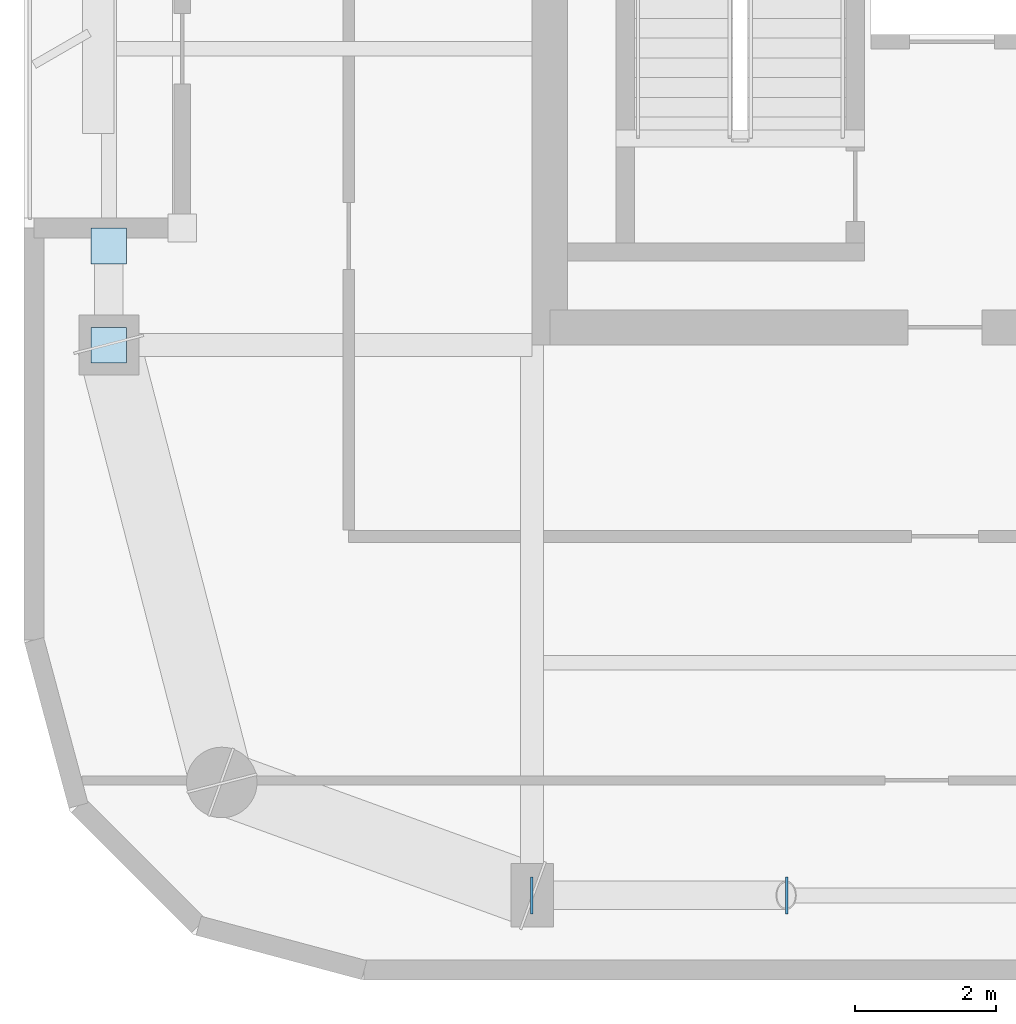
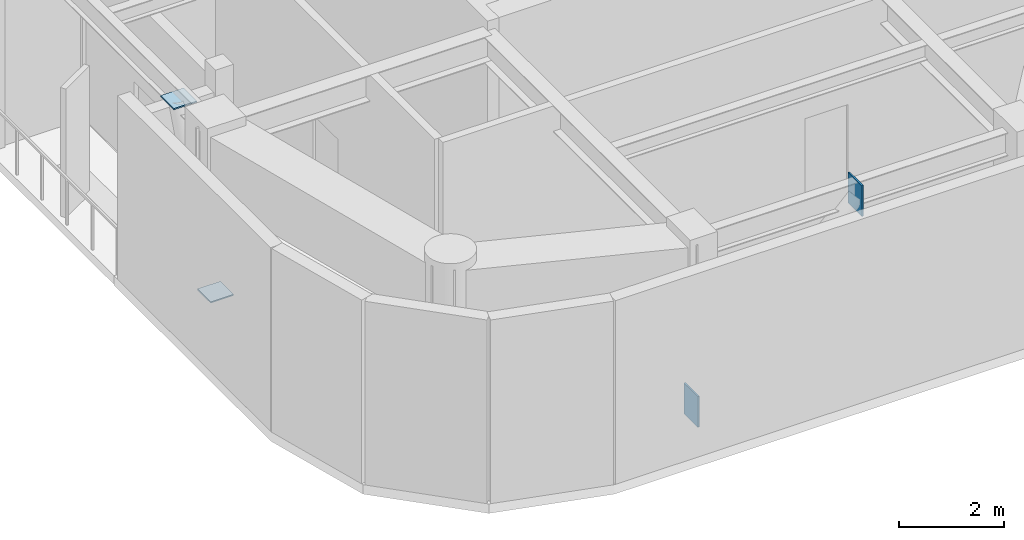
# One storey, part 8 of 15: 4 plates.
"""IFC4 building model written with IfcOpenShell, lengths in metres."""

from ifc_helpers import new_model, si_unit, direction, frame, origin, origin_2d, place, context, subcontext, project, spatial, rectangle, extrude, material, layer, layer_set, type_object, element, save


model = new_model("IFC4")

# Units and contexts
model_context = context("Model", 3, precision=1e-05, world=origin(), true_north=direction((0.0, 1.0)))
body_context = subcontext(model_context, "Body", "Model", "MODEL_VIEW")
ifc_project = project(units=[si_unit("LENGTHUNIT", "METRE"), si_unit("AREAUNIT", "SQUARE_METRE"), si_unit("VOLUMEUNIT", "CUBIC_METRE"), si_unit("PLANEANGLEUNIT", "RADIAN"), si_unit("MASSUNIT", "GRAM", prefix="KILO")], contexts=[model_context])

# Site, building, storey
site_placement = place(None, origin())
site = spatial("IfcSite", under=ifc_project, at=site_placement, CompositionType="ELEMENT")
building_placement = place(site_placement, origin())
building = spatial("IfcBuilding", under=site, at=building_placement, Name="Kiyonajd Concourse Tower", CompositionType="ELEMENT")
storey_placement = place(building_placement, frame((0.0, 0.0, 342.0)))
storey = spatial("IfcBuildingStorey", under=building, at=storey_placement, Name="L86", CompositionType="ELEMENT", Elevation=342.0)

# Plates
ifc_material = material(Name="Steel ASTM A572 Grade 50", Category="steel")
ifc_layer = layer(ifc_material, 0.028076171875)
ifc_layer_set = layer_set([ifc_layer], Name="Steel ASTM A572 Grade 50")
plate_type = type_object("IfcPlateType", Name="PL-CAP-450", PredefinedType="USERDEFINED", material=ifc_layer_set)
for number, where, z_axis, x_axis, name in (
    (1, (32.392333984375, 19.800048828125, -0.06640625), (0.0, 0.0, 1.0), (-1.0, 0.0, 0.0), "L86 Hollow Brace End Cap Plate PBS"),
    (2, (36.0078125, 19.800048828125, 3.5791015625), (0.0, 0.0, 1.0), (1.0, 0.0, 0.0), "L86 Hollow Brace Top Cap Plate PBS"),
):
    element("IfcPlate", number, at=place(storey_placement, frame(where, z_axis=z_axis, x_axis=x_axis)), inside=storey, type_object=plate_type, Name=name, ObjectType="CAP PLATE", PredefinedType="USERDEFINED", context=body_context, shape_type="SweptSolid", body=[
        extrude(rectangle(XDim=0.035888671875, YDim=0.52587890625, at=origin_2d()), origin(), (0.0, 0.0, 1.0), 0.717041015625),
    ])
for number, where, z_axis, x_axis, name in (
    (3, (26.39990234375, 27.595947265625, 0.27587890625), (0.0, 0.0, 1.0), (1.0, 0.0, 0.0), "L86 Hollow Brace End Cap Plate PBW"),
    (4, (26.39990234375, 29.00390625, 3.92626953125), (0.0, 0.0, 1.0), (1.0, 0.0, 0.0), "L86 Hollow Brace Top Cap Plate PBW"),
):
    element("IfcPlate", number, at=place(storey_placement, frame(where, z_axis=z_axis, x_axis=x_axis)), inside=storey, type_object=plate_type, Name=name, ObjectType="CAP PLATE", PredefinedType="USERDEFINED", context=body_context, shape_type="SweptSolid", body=[
        extrude(rectangle(XDim=0.506103515625, YDim=0.506103515625, at=origin_2d()), origin(), (0.0, 0.0, 1.0), 0.028076171875),
    ])

save(model, "model.ifc")
